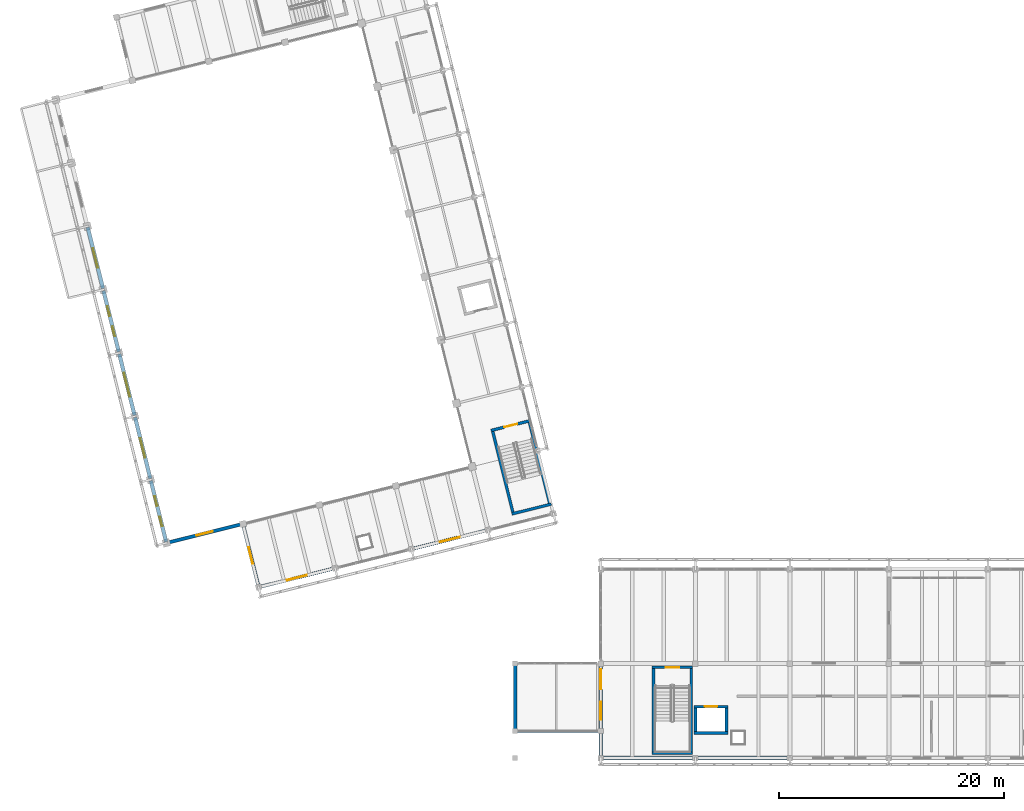
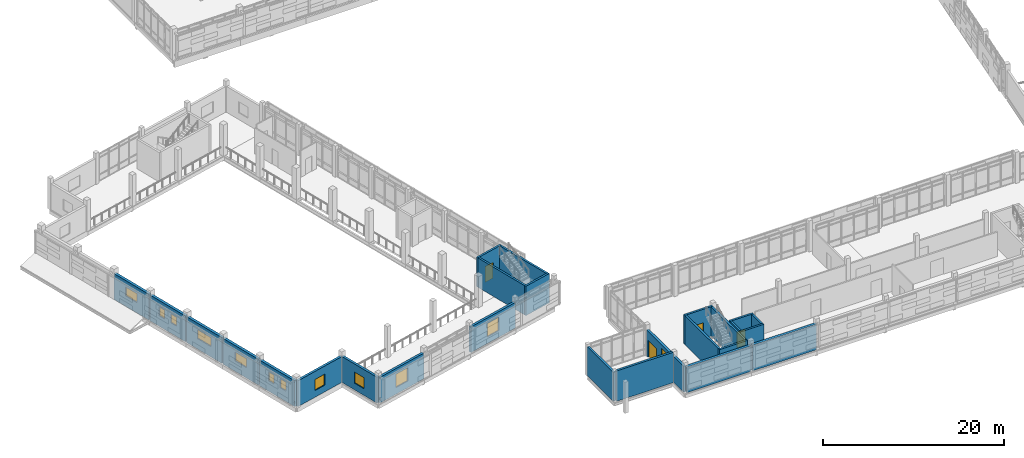
# One storey, part 105 of 137: 26 walls, 12 windows, 4 doors, 16 openings.
"""IFC4 building model written with IfcOpenShell, lengths in metres."""

import ifcopenshell
import ifcopenshell.guid

model = None  # the IFC model being written
_history = None  # IfcOwnerHistory: only IFC2X3 demands one
_inside = {}  # id of a spatial element -> (the spatial element, [elements in it])
_under = {}  # id of a project, library or spatial element -> (it, [spatial elements below it])
_declared = {}  # id of a project -> (the project, [libraries it declares])
_typed = {}  # id of a type object -> (the type object, [elements of that type])
_made_of = {}  # id of a material, layer set ... -> (it, [elements and type objects made of it])


def new_model(schema):
    """Start an empty IFC model of exactly this schema.

    Asked for "IFC4X3", IfcOpenShell would pick the latest addendum, in which some entities
    have other attributes; the version numbers below select the first issue.
    IFC2X3 requires an IfcOwnerHistory on every rooted entity: one is made here for all.
    """
    global model, _history
    if schema == "IFC4X3":
        model = ifcopenshell.file(schema_version=(4, 3, 0, 0))
    else:
        model = ifcopenshell.file(schema=schema)
    _inside.clear()
    _under.clear()
    _declared.clear()
    _typed.clear()
    _made_of.clear()
    _history = None
    if model.schema == "IFC2X3":
        org = make("IfcOrganization", Name="unknown")
        user = make(
            "IfcPersonAndOrganization",
            ThePerson=make("IfcPerson", FamilyName="unknown"),
            TheOrganization=org,
        )
        app = make(
            "IfcApplication",
            ApplicationDeveloper=org,
            Version="unknown",
            ApplicationFullName="unknown",
            ApplicationIdentifier="unknown",
        )
        _history = make(
            "IfcOwnerHistory",
            OwningUser=user,
            OwningApplication=app,
            ChangeAction="ADDED",
            CreationDate=0,
        )
    return model


def make(cls, **values):
    """One entity of the class cls with the attributes given. An attribute that is None is left unset."""
    return model.create_entity(
        cls, **{name: value for name, value in values.items() if value is not None}
    )


def rooted(cls, **values):
    """An entity with a GlobalId (a new one), such as an element, a storey or a relation."""
    return make(cls, GlobalId=ifcopenshell.guid.new(), OwnerHistory=_history, **values)


def si_unit(unit_type, name, prefix=None):
    """IfcSIUnit, for example si_unit("LENGTHUNIT", "METRE", prefix="MILLI")."""
    return make("IfcSIUnit", UnitType=unit_type, Prefix=prefix, Name=name)


def assignment(units):
    """IfcUnitAssignment: the units of a project."""
    return None if units is None else make("IfcUnitAssignment", Units=units)


def point(xyz):
    """IfcCartesianPoint."""
    return None if xyz is None else make("IfcCartesianPoint", Coordinates=xyz)


def direction(xyz):
    """IfcDirection."""
    return None if xyz is None else make("IfcDirection", DirectionRatios=xyz)


def frame(location, z_axis=None, x_axis=None):
    """IfcAxis2Placement3D, a coordinate frame: its origin and axes. An axis left out is left unset."""
    return make(
        "IfcAxis2Placement3D",
        Location=point(location),
        Axis=direction(z_axis),
        RefDirection=direction(x_axis),
    )


def frame_2d(location, x_axis=None):
    """IfcAxis2Placement2D, a coordinate frame in the plane: its origin and x axis."""
    return make(
        "IfcAxis2Placement2D", Location=point(location), RefDirection=direction(x_axis)
    )


def origin():
    """The frame at (0, 0, 0) with its axes left unset."""
    return frame((0.0, 0.0, 0.0))


def place(relative_to, where):
    """IfcLocalPlacement: puts the frame where relative to a parent placement (None: the world)."""
    return make(
        "IfcLocalPlacement", PlacementRelTo=relative_to, RelativePlacement=where
    )


def context(
    kind, dimensions, precision=None, world=None, true_north=None, identifier=None
):
    """IfcGeometricRepresentationContext, for example the 3D "Model" context."""
    return make(
        "IfcGeometricRepresentationContext",
        ContextIdentifier=identifier,
        ContextType=kind,
        CoordinateSpaceDimension=dimensions,
        Precision=precision,
        WorldCoordinateSystem=world,
        TrueNorth=true_north,
    )


def subcontext(parent, identifier, kind, view, scale=None):
    """IfcGeometricRepresentationSubContext, for example "Body" below "Model"."""
    return make(
        "IfcGeometricRepresentationSubContext",
        ContextIdentifier=identifier,
        ContextType=kind,
        ParentContext=parent,
        TargetScale=scale,
        TargetView=view,
    )


def project(units=None, contexts=None):
    """IfcProject with its units and contexts."""
    return rooted(
        "IfcProject",
        Name="project",
        RepresentationContexts=contexts,
        UnitsInContext=assignment(units),
    )


def spatial(cls, under=None, at=None, **own):
    """A site, building, storey or space (cls), placed at a placement, below another one or the project."""
    s = rooted(cls, ObjectPlacement=at, **own)
    if under is not None:
        _under.setdefault(under.id(), (under, []))[1].append(s)
    return s


def profile(cls, at=None, kind="AREA", **sizes):
    """A parametric profile (cls). Its sizes go by their IFC names, for example OverallWidth=200.0."""
    return make(cls, ProfileType=kind, Position=at, **sizes)


def rectangle(**sizes):
    """IfcRectangleProfileDef."""
    return profile("IfcRectangleProfileDef", **sizes)


def extrude(swept, where, along, depth):
    """IfcExtrudedAreaSolid: the profile swept, set in the frame where, extruded along a direction by depth."""
    return make(
        "IfcExtrudedAreaSolid",
        SweptArea=swept,
        Position=where,
        ExtrudedDirection=direction(along),
        Depth=depth,
    )


def shape(context_of_items, identifier, shape_type, items):
    """IfcShapeRepresentation: the items that make up one representation, for example the "Body"."""
    return make(
        "IfcShapeRepresentation",
        ContextOfItems=context_of_items,
        RepresentationIdentifier=identifier,
        RepresentationType=shape_type,
        Items=items,
    )


def material(Name=None, Category=None):
    """IfcMaterial."""
    return make("IfcMaterial", Name=Name, Category=Category)


def layer(
    of_material, thickness, ventilated=None, Name=None, Category=None, Priority=None
):
    """IfcMaterialLayer: one layer of a wall or slab, of a material (None: an air gap)."""
    return make(
        "IfcMaterialLayer",
        Material=of_material,
        LayerThickness=thickness,
        IsVentilated=ventilated,
        Name=Name,
        Category=Category,
        Priority=Priority,
    )


def layer_set(layers, Name=None):
    """IfcMaterialLayerSet."""
    return make("IfcMaterialLayerSet", MaterialLayers=layers, LayerSetName=Name)


def made_of(thing, what):
    """Note that an element or type object is made of a material, layer set ...; save() writes the relation."""
    if what is not None:
        _made_of.setdefault(what.id(), (what, []))[1].append(thing)
    return thing


def type_object(cls, material=None, **own):
    """A type object (cls), such as IfcWallType, which elements share."""
    return made_of(rooted(cls, **own), material)


def element(
    cls,
    number,
    at=None,
    inside=None,
    cuts=None,
    type_object=None,
    material=None,
    context=None,
    identifier="Body",
    shape_type=None,
    held_by="IfcProductDefinitionShape",
    body=None,
    shapes=None,
    **own,
):
    """One element of the class cls, such as IfcWall. Its Tag is "e" and its number.

    at: its placement. inside: the storey or other place that contains it. cuts: it is an
    opening in that element (IfcRelVoidsElement). A single representation is given by context,
    identifier, shape_type and body (its items); several are given by shapes. held_by: the class
    of the entity that holds the representations. save() writes the other relations.
    """
    e = rooted(cls, Tag="e%d" % number, ObjectPlacement=at, **own)
    if body is not None:
        shapes = [shape(context, identifier, shape_type, body)]
    if shapes is not None:
        e.Representation = make(held_by, Representations=shapes)
    if inside is not None:
        _inside.setdefault(inside.id(), (inside, []))[1].append(e)
    if cuts is not None:
        rooted(
            "IfcRelVoidsElement", RelatingBuildingElement=cuts, RelatedOpeningElement=e
        )
    if type_object is not None:
        _typed.setdefault(type_object.id(), (type_object, []))[1].append(e)
    return made_of(e, material)


def fill(opening, filler):
    """IfcRelFillsElement: the door or window that sits in an opening."""
    return rooted(
        "IfcRelFillsElement",
        RelatingOpeningElement=opening,
        RelatedBuildingElement=filler,
    )


def aggregate(whole, parts):
    """IfcRelAggregates: a whole, such as a stair, and the parts it consists of."""
    return rooted("IfcRelAggregates", RelatingObject=whole, RelatedObjects=parts)


def save(model, path):
    """Write the relations noted so far, then the file.

    IfcRelAggregates (storeys below a building ...), IfcRelContainedInSpatialStructure (elements
    in a storey), IfcRelDefinesByType, IfcRelAssociatesMaterial and IfcRelDeclares: one each for
    every whole, place, type object, material and project.
    """
    for whole, parts in _under.values():
        aggregate(whole, parts)
    for where, things in _inside.values():
        rooted(
            "IfcRelContainedInSpatialStructure",
            RelatedElements=things,
            RelatingStructure=where,
        )
    for kind, things in _typed.values():
        rooted("IfcRelDefinesByType", RelatedObjects=things, RelatingType=kind)
    for what, things in _made_of.values():
        rooted("IfcRelAssociatesMaterial", RelatedObjects=things, RelatingMaterial=what)
    for by, libraries in _declared.values():
        rooted("IfcRelDeclares", RelatingContext=by, RelatedDefinitions=libraries)
    model.write(path)


model = new_model("IFC4")

# Units and contexts
model_context = context("Model", 3, precision=1e-05, world=origin(), true_north=direction((0.0, 1.0)))
body_context = subcontext(model_context, "Body", "Model", "MODEL_VIEW")
ifc_project = project(units=[si_unit("LENGTHUNIT", "METRE"), si_unit("AREAUNIT", "SQUARE_METRE"), si_unit("VOLUMEUNIT", "CUBIC_METRE"), si_unit("PLANEANGLEUNIT", "RADIAN"), si_unit("MASSUNIT", "GRAM", prefix="KILO")], contexts=[model_context])

# Site, building, storey
site_placement = place(None, origin())
site = spatial("IfcSite", under=ifc_project, at=site_placement, CompositionType="ELEMENT")
building_placement = place(site_placement, origin())
building = spatial("IfcBuilding", under=site, at=building_placement, Name="Cinderway Yard Community Centre", CompositionType="ELEMENT")
storey_placement = place(building_placement, frame((0.0, 0.0, 4.800048828125)))
storey = spatial("IfcBuildingStorey", under=building, at=storey_placement, Name="L01", CompositionType="ELEMENT", Elevation=4.800048828125)

# Walls
ifc_material_1 = material(Name="Concrete C35/45", Category="concrete")
ifc_layer_1 = layer(ifc_material_1, 0.280029296875, Name="Concrete C35/45")
ifc_layer_set_1 = layer_set([ifc_layer_1], Name="Concrete C35/45")
wall_type_1 = type_object("IfcWallType", Name="ENV-WAL-EXT280", PredefinedType="SOLIDWALL", material=ifc_layer_set_1)
wall_1_placement = place(storey_placement, frame((50.949951171875, 8.39990234375, 0.0), z_axis=(0.0, 0.0, 1.0), x_axis=(1.0, 0.0, 0.0)))
element("IfcWall", 1, at=wall_1_placement, inside=storey, type_object=wall_type_1, Name="West Arcade Inner Portal Wall ENV-WAL-L01-0236", PredefinedType="SOLIDWALL", context=body_context, shape_type="SweptSolid", body=[
    extrude(rectangle(XDim=7.300048828125, YDim=0.280029296875, at=frame_2d((3.64990234375, 0.0))), origin(), (0.0, 0.0, 1.0), 4.099853515625),
])
wall_2_placement = place(storey_placement, frame((50.800048828125, 8.449951171875, 0.0), z_axis=(0.0, 0.0, 1.0), x_axis=(0.0, 1.0, 0.0)))
element("IfcWall", 2, at=wall_2_placement, inside=storey, type_object=wall_type_1, Name="West Arcade Side Wall W ENV-WAL-L01-0237", PredefinedType="SOLIDWALL", context=body_context, shape_type="SweptSolid", body=[
    extrude(rectangle(XDim=5.800048828125, YDim=0.280029296875, at=frame_2d((2.89990234375, 0.0))), origin(), (0.0, 0.0, 1.0), 3.8720703125),
])

# Wall, opening, window
ifc_material_2 = material(Name="Brick Masonry", Category="masonry")
ifc_layer_2 = layer(ifc_material_2, 0.300048828125, Name="Brick Masonry")
ifc_layer_set_2 = layer_set([ifc_layer_2], Name="Brick Masonry")
wall_type_2 = type_object("IfcWallType", Name="ENV-WAL-EXT300", PredefinedType="SOLIDWALL", material=ifc_layer_set_2)
wall_3_placement = place(storey_placement, frame((28.10205078125, 21.20703125, 0.0), z_axis=(0.0, 0.0, 1.0), x_axis=(0.970296478685, 0.241918877831, 0.0)))
wall_3 = element("IfcWall", 3, at=wall_3_placement, inside=storey, type_object=wall_type_2, Name="Sanctuary South Brick Wall ENV-WAL-L01-0026", PredefinedType="SOLIDWALL", context=body_context, shape_type="SweptSolid", body=[
    extrude(rectangle(XDim=6.7998046875, YDim=0.300048828125, at=frame_2d((3.39990234375, 0.0))), origin(), (0.0, 0.0, 1.0), 3.46484375),
])
opening_1_placement = place(wall_3_placement, frame((2.5, 0.0, 0.89990234375)))
opening_1 = element("IfcOpeningElement", 4, at=opening_1_placement, cuts=wall_3, Name="Opening W-08", PredefinedType="OPENING", context=body_context, shape_type="SweptSolid", body=[
    extrude(rectangle(XDim=1.800048828125, YDim=1.800048828125, at=frame_2d((0.89990234375, 0.89990234375))), frame((0.0, 0.159912109375, 0.0), z_axis=(0.0, -1.0, 0.0), x_axis=(1.0, 0.0, 0.0)), (0.0, 0.0, 1.0), 0.320068359375),
])
ifc_material_3 = material(Name="Laminated Low-E Glass", Category="glass")
window_type_1 = type_object("IfcWindowType", Name="ENV-WIN-W08", PartitioningType="DOUBLE_PANEL_VERTICAL", PredefinedType="WINDOW", material=ifc_material_3)
window_1_placement = place(opening_1_placement, origin())
window_1 = element("IfcWindow", 5, at=window_1_placement, inside=storey, type_object=window_type_1, Name="Exterior window ENV-WIN-L01-0011", OverallHeight=1.800048828125, OverallWidth=1.800048828125, PartitioningType="SINGLE_PANEL", PredefinedType="WINDOW", context=body_context, shape_type="SweptSolid", body=[
    extrude(rectangle(XDim=1.800048828125, YDim=1.800048828125, at=frame_2d((0.89990234375, 0.89990234375))), frame((0.0, 0.030029296875, 0.0), z_axis=(0.0, -1.0, 0.0), x_axis=(1.0, 0.0, 0.0)), (0.0, 0.0, 1.0), 0.06005859375),
])
fill(opening_1, window_1)

wall_4_placement = place(storey_placement, frame((41.68603515625, 24.593994140625, 0.0), z_axis=(0.0, 0.0, 1.0), x_axis=(0.970296478685, 0.241918877831, 0.0)))
wall_4 = element("IfcWall", 6, at=wall_4_placement, inside=storey, type_object=wall_type_2, Name="Sanctuary South Brick Wall ENV-WAL-L01-0027", PredefinedType="SOLIDWALL", context=body_context, shape_type="SweptSolid", body=[
    extrude(rectangle(XDim=6.7998046875, YDim=0.300048828125, at=frame_2d((3.39990234375, 0.0))), origin(), (0.0, 0.0, 1.0), 3.46484375),
])
opening_2_placement = place(wall_4_placement, frame((2.5, 0.0, 0.89990234375)))
opening_2 = element("IfcOpeningElement", 7, at=opening_2_placement, cuts=wall_4, Name="Opening W-08", PredefinedType="OPENING", context=body_context, shape_type="SweptSolid", body=[
    extrude(rectangle(XDim=1.800048828125, YDim=1.800048828125, at=frame_2d((0.89990234375, 0.89990234375))), frame((0.0, 0.159912109375, 0.0), z_axis=(0.0, -1.0, 0.0), x_axis=(1.0, 0.0, 0.0)), (0.0, 0.0, 1.0), 0.320068359375),
])
window_2_placement = place(opening_2_placement, origin())
window_2 = element("IfcWindow", 8, at=window_2_placement, inside=storey, type_object=window_type_1, Name="Exterior window ENV-WIN-L01-0012", OverallHeight=1.800048828125, OverallWidth=1.800048828125, PartitioningType="SINGLE_PANEL", PredefinedType="WINDOW", context=body_context, shape_type="SweptSolid", body=[
    extrude(rectangle(XDim=1.800048828125, YDim=1.800048828125, at=frame_2d((0.89990234375, 0.89990234375))), frame((0.0, 0.030029296875, 0.0), z_axis=(0.0, -1.0, 0.0), x_axis=(1.0, 0.0, 0.0)), (0.0, 0.0, 1.0), 0.06005859375),
])
fill(opening_2, window_2)

wall_5_placement = place(storey_placement, frame((27.986083984375, 21.260986328125, 0.0), z_axis=(0.0, 0.0, 1.0), x_axis=(-0.242077152267, 0.970257003247, 0.0)))
wall_5 = element("IfcWall", 9, at=wall_5_placement, inside=storey, type_object=wall_type_2, Name="Sanctuary West Return ENV-WAL-L01-0028", PredefinedType="SOLIDWALL", context=body_context, shape_type="SweptSolid", body=[
    extrude(rectangle(XDim=5.638671875, YDim=0.300048828125, at=frame_2d((2.8193359375, 0.0))), origin(), (0.0, 0.0, 1.0), 3.494873046875),
])
opening_3_placement = place(wall_5_placement, frame((2.070068359375, 0.0, 0.89990234375)))
opening_3 = element("IfcOpeningElement", 10, at=opening_3_placement, cuts=wall_5, Name="Opening W-02", PredefinedType="OPENING", context=body_context, shape_type="SweptSolid", body=[
    extrude(rectangle(XDim=1.5, YDim=1.5, at=frame_2d((0.75, 0.75))), frame((0.0, 0.159912109375, 0.0), z_axis=(0.0, -1.0, 0.0), x_axis=(1.0, 0.0, 0.0)), (0.0, 0.0, 1.0), 0.320068359375),
])
window_type_2 = type_object("IfcWindowType", Name="ENV-WIN-W02", PartitioningType="DOUBLE_PANEL_VERTICAL", PredefinedType="WINDOW", material=ifc_material_3)
window_3_placement = place(opening_3_placement, origin())
window_3 = element("IfcWindow", 11, at=window_3_placement, inside=storey, type_object=window_type_2, Name="Exterior window ENV-WIN-L01-0013", OverallHeight=1.5, OverallWidth=1.5, PartitioningType="SINGLE_PANEL", PredefinedType="WINDOW", context=body_context, shape_type="SweptSolid", body=[
    extrude(rectangle(XDim=1.5, YDim=1.5, at=frame_2d((0.75, 0.75))), frame((0.0, 0.030029296875, 0.0), z_axis=(0.0, -1.0, 0.0), x_axis=(1.0, 0.0, 0.0)), (0.0, 0.0, 1.0), 0.06005859375),
])
fill(opening_3, window_3)

wall_6_placement = place(storey_placement, frame((19.886962890625, 25.135986328125, 0.0), z_axis=(0.0, 0.0, 1.0), x_axis=(0.970287194641, 0.241956111549, 0.0)))
wall_6 = element("IfcWall", 12, at=wall_6_placement, inside=storey, type_object=wall_type_2, Name="Main Hall SW Return ENV-WAL-L01-0029", PredefinedType="SOLIDWALL", context=body_context, shape_type="SweptSolid", body=[
    extrude(rectangle(XDim=6.840087890625, YDim=0.300048828125, at=frame_2d((3.419921875, 0.0))), origin(), (0.0, 0.0, 1.0), 3.48486328125),
])
opening_4_placement = place(wall_6_placement, frame((2.669921875, 0.0, 0.89990234375)))
opening_4 = element("IfcOpeningElement", 13, at=opening_4_placement, cuts=wall_6, Name="Opening W-02", PredefinedType="OPENING", context=body_context, shape_type="SweptSolid", body=[
    extrude(rectangle(XDim=1.5, YDim=1.5, at=frame_2d((0.75, 0.75))), frame((0.0, 0.159912109375, 0.0), z_axis=(0.0, -1.0, 0.0), x_axis=(1.0, 0.0, 0.0)), (0.0, 0.0, 1.0), 0.320068359375),
])
window_4_placement = place(opening_4_placement, origin())
window_4 = element("IfcWindow", 14, at=window_4_placement, inside=storey, type_object=window_type_2, Name="Exterior window ENV-WIN-L01-0014", OverallHeight=1.5, OverallWidth=1.5, PartitioningType="SINGLE_PANEL", PredefinedType="WINDOW", context=body_context, shape_type="SweptSolid", body=[
    extrude(rectangle(XDim=1.5, YDim=1.5, at=frame_2d((0.75, 0.75))), frame((0.0, 0.030029296875, 0.0), z_axis=(0.0, -1.0, 0.0), x_axis=(1.0, 0.0, 0.0)), (0.0, 0.0, 1.0), 0.06005859375),
])
fill(opening_4, window_4)

# Wall, openings, window, door
wall_7_placement = place(storey_placement, frame((58.39990234375, 6.10009765625, 0.0), z_axis=(0.0, 0.0, 1.0), x_axis=(0.0, 1.0, 0.0)))
wall_7 = element("IfcWall", 15, at=wall_7_placement, inside=storey, type_object=wall_type_2, Name="V3 West End Wall ENV-WAL-L01-0114", PredefinedType="SOLIDWALL", context=body_context, shape_type="SweptSolid", body=[
    extrude(rectangle(XDim=8.199951171875, YDim=0.300048828125, at=frame_2d((4.10009765625, 0.0))), origin(), (0.0, 0.0, 1.0), 3.494873046875),
])
opening_5_placement = place(wall_7_placement, frame((3.300048828125, 0.0, 0.89990234375)))
opening_5 = element("IfcOpeningElement", 16, at=opening_5_placement, cuts=wall_7, Name="Opening W-14", PredefinedType="OPENING", context=body_context, shape_type="SweptSolid", body=[
    extrude(rectangle(XDim=1.60009765625, YDim=2.10009765625, at=frame_2d((0.800048828125, 1.050048828125))), frame((0.0, 0.159912109375, 0.0), z_axis=(0.0, -1.0, 0.0), x_axis=(1.0, 0.0, 0.0)), (0.0, 0.0, 1.0), 0.320068359375),
])
opening_6_placement = place(wall_7_placement, frame((6.0, 0.0, 0.0)))
opening_6 = element("IfcOpeningElement", 17, at=opening_6_placement, cuts=wall_7, Name="Opening D-EX3", PredefinedType="OPENING", context=body_context, shape_type="SweptSolid", body=[
    extrude(rectangle(XDim=1.800048828125, YDim=2.25, at=frame_2d((0.89990234375, 1.125))), frame((0.0, 0.159912109375, 0.0), z_axis=(0.0, -1.0, 0.0), x_axis=(1.0, 0.0, 0.0)), (0.0, 0.0, 1.0), 0.320068359375),
])
window_type_3 = type_object("IfcWindowType", Name="ENV-WIN-W14", PartitioningType="DOUBLE_PANEL_VERTICAL", PredefinedType="WINDOW", material=ifc_material_3)
window_5_placement = place(opening_5_placement, origin())
window_5 = element("IfcWindow", 18, at=window_5_placement, inside=storey, type_object=window_type_3, Name="Exterior window ENV-WIN-L01-0078", OverallHeight=2.10009765625, OverallWidth=1.60009765625, PartitioningType="SINGLE_PANEL", PredefinedType="WINDOW", context=body_context, shape_type="SweptSolid", body=[
    extrude(rectangle(XDim=1.60009765625, YDim=2.10009765625, at=frame_2d((0.800048828125, 1.050048828125))), frame((0.0, 0.030029296875, 0.0), z_axis=(0.0, -1.0, 0.0), x_axis=(1.0, 0.0, 0.0)), (0.0, 0.0, 1.0), 0.06005859375),
])
fill(opening_5, window_5)
ifc_material_4 = material(Name="Aluminium 6063-T6", Category="aluminium")
door_type_1 = type_object("IfcDoorType", Name="INT-DOR-EXT180", OperationType="DOUBLE_DOOR_SINGLE_SWING", PredefinedType="DOOR", material=ifc_material_4)
door_1_placement = place(opening_6_placement, origin())
door_1 = element("IfcDoor", 19, at=door_1_placement, inside=storey, type_object=door_type_1, Name="West Arcade L01 Link Door EXT-DOR-L01-0085", OperationType="DOUBLE_DOOR_SINGLE_SWING", OverallHeight=2.25, OverallWidth=1.800048828125, PredefinedType="DOOR", context=body_context, shape_type="SweptSolid", body=[
    extrude(rectangle(XDim=1.800048828125, YDim=2.25, at=frame_2d((0.89990234375, 1.125))), frame((0.0, 0.02490234375, 0.0), z_axis=(0.0, -1.0, 0.0), x_axis=(1.0, 0.0, 0.0)), (0.0, 0.0, 1.0), 0.050048828125),
])
fill(opening_6, door_1)

# Wall, openings, windows
ifc_layer_3 = layer(ifc_material_2, 0.340087890625, Name="Brick Masonry")
ifc_layer_set_3 = layer_set([ifc_layer_3], Name="Brick Masonry")
wall_type_3 = type_object("IfcWallType", Name="ENV-WAL-EXT340", PredefinedType="SOLIDWALL", material=ifc_layer_set_3)
wall_8_placement = place(storey_placement, frame((19.784912109375, 25.214111328125, 0.0), z_axis=(0.0, 0.0, 1.0), x_axis=(-0.241950898373, 0.970288494612, 0.0)))
wall_8 = element("IfcWall", 20, at=wall_8_placement, inside=storey, type_object=wall_type_3, Name="Main Hall West Brick Wall ENV-WAL-L01-0019", PredefinedType="SOLIDWALL", context=body_context, shape_type="SweptSolid", body=[
    extrude(rectangle(XDim=5.600341796875, YDim=0.340087890625, at=frame_2d((2.80029296875, 0.0))), origin(), (0.0, 0.0, 1.0), 3.48486328125),
])
opening_7_placement = place(wall_8_placement, frame((1.4169921875, 0.0, 1.39990234375)))
opening_7 = element("IfcOpeningElement", 21, at=opening_7_placement, cuts=wall_8, Name="Opening W-19", PredefinedType="OPENING", context=body_context, shape_type="SweptSolid", body=[
    extrude(rectangle(XDim=0.89990234375, YDim=1.199951171875, at=frame_2d((0.449951171875, 0.60009765625))), frame((0.0, 0.179931640625, 0.0), z_axis=(0.0, -1.0, 0.0), x_axis=(1.0, 0.0, 0.0)), (0.0, 0.0, 1.0), 0.360107421875),
])
opening_8_placement = place(wall_8_placement, frame((3.283935546875, 0.0, 1.39990234375)))
opening_8 = element("IfcOpeningElement", 22, at=opening_8_placement, cuts=wall_8, Name="Opening W-19", PredefinedType="OPENING", context=body_context, shape_type="SweptSolid", body=[
    extrude(rectangle(XDim=0.89990234375, YDim=1.199951171875, at=frame_2d((0.449951171875, 0.60009765625))), frame((0.0, 0.179931640625, 0.0), z_axis=(0.0, -1.0, 0.0), x_axis=(1.0, 0.0, 0.0)), (0.0, 0.0, 1.0), 0.360107421875),
])
window_type_4 = type_object("IfcWindowType", Name="ENV-WIN-W19", PartitioningType="SINGLE_PANEL", PredefinedType="WINDOW", material=ifc_material_3)
window_6_placement = place(opening_7_placement, origin())
window_6 = element("IfcWindow", 23, at=window_6_placement, inside=storey, type_object=window_type_4, Name="Exterior window ENV-WIN-L01-0001", OverallHeight=1.199951171875, OverallWidth=0.89990234375, PartitioningType="SINGLE_PANEL", PredefinedType="WINDOW", context=body_context, shape_type="SweptSolid", body=[
    extrude(rectangle(XDim=0.89990234375, YDim=1.199951171875, at=frame_2d((0.449951171875, 0.60009765625))), frame((0.0, 0.030029296875, 0.0), z_axis=(0.0, -1.0, 0.0), x_axis=(1.0, 0.0, 0.0)), (0.0, 0.0, 1.0), 0.06005859375),
])
fill(opening_7, window_6)
window_7_placement = place(opening_8_placement, origin())
window_7 = element("IfcWindow", 24, at=window_7_placement, inside=storey, type_object=window_type_4, Name="Exterior window ENV-WIN-L01-0002", OverallHeight=1.199951171875, OverallWidth=0.89990234375, PartitioningType="SINGLE_PANEL", PredefinedType="WINDOW", context=body_context, shape_type="SweptSolid", body=[
    extrude(rectangle(XDim=0.89990234375, YDim=1.199951171875, at=frame_2d((0.449951171875, 0.60009765625))), frame((0.0, 0.030029296875, 0.0), z_axis=(0.0, -1.0, 0.0), x_axis=(1.0, 0.0, 0.0)), (0.0, 0.0, 1.0), 0.06005859375),
])
fill(opening_8, window_7)

# Wall, opening, window
wall_9_placement = place(storey_placement, frame((18.382080078125, 30.842041015625, 0.0), z_axis=(0.0, 0.0, 1.0), x_axis=(-0.241991842685, 0.970278283831, 0.0)))
wall_9 = element("IfcWall", 25, at=wall_9_placement, inside=storey, type_object=wall_type_3, Name="Main Hall West Brick Wall ENV-WAL-L01-0020", PredefinedType="SOLIDWALL", context=body_context, shape_type="SweptSolid", body=[
    extrude(rectangle(XDim=5.599365234375, YDim=0.340087890625, at=frame_2d((2.7998046875, 0.0))), origin(), (0.0, 0.0, 1.0), 3.48486328125),
])
opening_9_placement = place(wall_9_placement, frame((1.89990234375, 0.0, 1.39990234375)))
opening_9 = element("IfcOpeningElement", 26, at=opening_9_placement, cuts=wall_9, Name="Opening W-21", PredefinedType="OPENING", context=body_context, shape_type="SweptSolid", body=[
    extrude(rectangle(XDim=1.800048828125, YDim=1.199951171875, at=frame_2d((0.89990234375, 0.60009765625))), frame((0.0, 0.179931640625, 0.0), z_axis=(0.0, -1.0, 0.0), x_axis=(1.0, 0.0, 0.0)), (0.0, 0.0, 1.0), 0.360107421875),
])
window_type_5 = type_object("IfcWindowType", Name="ENV-WIN-W21", PartitioningType="DOUBLE_PANEL_VERTICAL", PredefinedType="WINDOW", material=ifc_material_3)
window_8_placement = place(opening_9_placement, origin())
window_8 = element("IfcWindow", 27, at=window_8_placement, inside=storey, type_object=window_type_5, Name="Exterior window ENV-WIN-L01-0003", OverallHeight=1.199951171875, OverallWidth=1.800048828125, PartitioningType="SINGLE_PANEL", PredefinedType="WINDOW", context=body_context, shape_type="SweptSolid", body=[
    extrude(rectangle(XDim=1.800048828125, YDim=1.199951171875, at=frame_2d((0.89990234375, 0.60009765625))), frame((0.0, 0.030029296875, 0.0), z_axis=(0.0, -1.0, 0.0), x_axis=(1.0, 0.0, 0.0)), (0.0, 0.0, 1.0), 0.06005859375),
])
fill(opening_9, window_8)

wall_10_placement = place(storey_placement, frame((16.97900390625, 36.468994140625, 0.0), z_axis=(0.0, 0.0, 1.0), x_axis=(-0.241940664393, 0.970291046497, 0.0)))
wall_10 = element("IfcWall", 28, at=wall_10_placement, inside=storey, type_object=wall_type_3, Name="Main Hall West Brick Wall ENV-WAL-L01-0021", PredefinedType="SOLIDWALL", context=body_context, shape_type="SweptSolid", body=[
    extrude(rectangle(XDim=5.6005859375, YDim=0.340087890625, at=frame_2d((2.80029296875, 0.0))), origin(), (0.0, 0.0, 1.0), 3.48486328125),
])
opening_10_placement = place(wall_10_placement, frame((1.699951171875, 0.0, 1.39990234375)))
opening_10 = element("IfcOpeningElement", 29, at=opening_10_placement, cuts=wall_10, Name="Opening W-22", PredefinedType="OPENING", context=body_context, shape_type="SweptSolid", body=[
    extrude(rectangle(XDim=2.199951171875, YDim=1.199951171875, at=frame_2d((1.10009765625, 0.60009765625))), frame((0.0, 0.179931640625, 0.0), z_axis=(0.0, -1.0, 0.0), x_axis=(1.0, 0.0, 0.0)), (0.0, 0.0, 1.0), 0.360107421875),
])
window_type_6 = type_object("IfcWindowType", Name="ENV-WIN-W22", PartitioningType="DOUBLE_PANEL_VERTICAL", PredefinedType="WINDOW", material=ifc_material_3)
window_9_placement = place(opening_10_placement, origin())
window_9 = element("IfcWindow", 30, at=window_9_placement, inside=storey, type_object=window_type_6, Name="Exterior window ENV-WIN-L01-0004", OverallHeight=1.199951171875, OverallWidth=2.199951171875, PartitioningType="SINGLE_PANEL", PredefinedType="WINDOW", context=body_context, shape_type="SweptSolid", body=[
    extrude(rectangle(XDim=2.199951171875, YDim=1.199951171875, at=frame_2d((1.10009765625, 0.60009765625))), frame((0.0, 0.030029296875, 0.0), z_axis=(0.0, -1.0, 0.0), x_axis=(1.0, 0.0, 0.0)), (0.0, 0.0, 1.0), 0.06005859375),
])
fill(opening_10, window_9)

# Wall, openings, windows
wall_11_placement = place(storey_placement, frame((15.575927734375, 42.096923828125, 0.0), z_axis=(0.0, 0.0, 1.0), x_axis=(-0.241940664393, 0.970291046497, 0.0)))
wall_11 = element("IfcWall", 31, at=wall_11_placement, inside=storey, type_object=wall_type_3, Name="Main Hall West Brick Wall ENV-WAL-L01-0022", PredefinedType="SOLIDWALL", context=body_context, shape_type="SweptSolid", body=[
    extrude(rectangle(XDim=5.6005859375, YDim=0.340087890625, at=frame_2d((2.80029296875, 0.0))), origin(), (0.0, 0.0, 1.0), 3.48486328125),
])
opening_11_placement = place(wall_11_placement, frame((1.4169921875, 0.0, 1.39990234375)))
opening_11 = element("IfcOpeningElement", 32, at=opening_11_placement, cuts=wall_11, Name="Opening W-19", PredefinedType="OPENING", context=body_context, shape_type="SweptSolid", body=[
    extrude(rectangle(XDim=0.89990234375, YDim=1.199951171875, at=frame_2d((0.449951171875, 0.60009765625))), frame((0.0, 0.179931640625, 0.0), z_axis=(0.0, -1.0, 0.0), x_axis=(1.0, 0.0, 0.0)), (0.0, 0.0, 1.0), 0.360107421875),
])
opening_12_placement = place(wall_11_placement, frame((3.283935546875, 0.0, 1.39990234375)))
opening_12 = element("IfcOpeningElement", 33, at=opening_12_placement, cuts=wall_11, Name="Opening W-19", PredefinedType="OPENING", context=body_context, shape_type="SweptSolid", body=[
    extrude(rectangle(XDim=0.89990234375, YDim=1.199951171875, at=frame_2d((0.449951171875, 0.60009765625))), frame((0.0, 0.179931640625, 0.0), z_axis=(0.0, -1.0, 0.0), x_axis=(1.0, 0.0, 0.0)), (0.0, 0.0, 1.0), 0.360107421875),
])
window_10_placement = place(opening_11_placement, origin())
window_10 = element("IfcWindow", 34, at=window_10_placement, inside=storey, type_object=window_type_4, Name="Exterior window ENV-WIN-L01-0005", OverallHeight=1.199951171875, OverallWidth=0.89990234375, PartitioningType="SINGLE_PANEL", PredefinedType="WINDOW", context=body_context, shape_type="SweptSolid", body=[
    extrude(rectangle(XDim=0.89990234375, YDim=1.199951171875, at=frame_2d((0.449951171875, 0.60009765625))), frame((0.0, 0.030029296875, 0.0), z_axis=(0.0, -1.0, 0.0), x_axis=(1.0, 0.0, 0.0)), (0.0, 0.0, 1.0), 0.06005859375),
])
fill(opening_11, window_10)
window_11_placement = place(opening_12_placement, origin())
window_11 = element("IfcWindow", 35, at=window_11_placement, inside=storey, type_object=window_type_4, Name="Exterior window ENV-WIN-L01-0006", OverallHeight=1.199951171875, OverallWidth=0.89990234375, PartitioningType="SINGLE_PANEL", PredefinedType="WINDOW", context=body_context, shape_type="SweptSolid", body=[
    extrude(rectangle(XDim=0.89990234375, YDim=1.199951171875, at=frame_2d((0.449951171875, 0.60009765625))), frame((0.0, 0.030029296875, 0.0), z_axis=(0.0, -1.0, 0.0), x_axis=(1.0, 0.0, 0.0)), (0.0, 0.0, 1.0), 0.06005859375),
])
fill(opening_12, window_11)

# Wall, opening, window
wall_12_placement = place(storey_placement, frame((14.173095703125, 47.72509765625, 0.0), z_axis=(0.0, 0.0, 1.0), x_axis=(-0.241991842685, 0.970278283831, 0.0)))
wall_12 = element("IfcWall", 36, at=wall_12_placement, inside=storey, type_object=wall_type_3, Name="Main Hall West Brick Wall ENV-WAL-L01-0023", PredefinedType="SOLIDWALL", context=body_context, shape_type="SweptSolid", body=[
    extrude(rectangle(XDim=5.599365234375, YDim=0.340087890625, at=frame_2d((2.7998046875, 0.0))), origin(), (0.0, 0.0, 1.0), 3.48486328125),
])
opening_13_placement = place(wall_12_placement, frame((1.89990234375, 0.0, 1.39990234375)))
opening_13 = element("IfcOpeningElement", 37, at=opening_13_placement, cuts=wall_12, Name="Opening W-21", PredefinedType="OPENING", context=body_context, shape_type="SweptSolid", body=[
    extrude(rectangle(XDim=1.800048828125, YDim=1.199951171875, at=frame_2d((0.89990234375, 0.60009765625))), frame((0.0, 0.179931640625, 0.0), z_axis=(0.0, -1.0, 0.0), x_axis=(1.0, 0.0, 0.0)), (0.0, 0.0, 1.0), 0.360107421875),
])
window_12_placement = place(opening_13_placement, origin())
window_12 = element("IfcWindow", 38, at=window_12_placement, inside=storey, type_object=window_type_5, Name="Exterior window ENV-WIN-L01-0007", OverallHeight=1.199951171875, OverallWidth=1.800048828125, PartitioningType="SINGLE_PANEL", PredefinedType="WINDOW", context=body_context, shape_type="SweptSolid", body=[
    extrude(rectangle(XDim=1.800048828125, YDim=1.199951171875, at=frame_2d((0.89990234375, 0.60009765625))), frame((0.0, 0.030029296875, 0.0), z_axis=(0.0, -1.0, 0.0), x_axis=(1.0, 0.0, 0.0)), (0.0, 0.0, 1.0), 0.06005859375),
])
fill(opening_13, window_12)

# Walls
wall_13_placement = place(storey_placement, frame((58.5, 6.0, 0.0), z_axis=(0.0, 0.0, 1.0), x_axis=(1.0, 0.0, 0.0)))
element("IfcWall", 39, at=wall_13_placement, inside=storey, type_object=wall_type_3, Name="Dining South Brick Wall ENV-WAL-L01-0107", PredefinedType="SOLIDWALL", context=body_context, shape_type="SweptSolid", body=[
    extrude(rectangle(XDim=8.199951171875, YDim=0.340087890625, at=frame_2d((4.10009765625, 0.0))), origin(), (0.0, 0.0, 1.0), 3.46484375),
])
wall_14_placement = place(storey_placement, frame((66.89990234375, 6.0, 0.0), z_axis=(0.0, 0.0, 1.0), x_axis=(1.0, 0.0, 0.0)))
element("IfcWall", 40, at=wall_14_placement, inside=storey, type_object=wall_type_3, Name="Dining South Brick Wall ENV-WAL-L01-0108", PredefinedType="SOLIDWALL", context=body_context, shape_type="SweptSolid", body=[
    extrude(rectangle(XDim=8.2001953125, YDim=0.340087890625, at=frame_2d((4.10009765625, 0.0))), origin(), (0.0, 0.0, 1.0), 3.46484375),
])

# Wall, opening, door
ifc_material_5 = material(Name="Concrete C40/50", Category="concrete")
ifc_layer_4 = layer(ifc_material_5, 0.25, Name="Concrete C40/50")
ifc_layer_set_4 = layer_set([ifc_layer_4], Name="Concrete C40/50")
wall_type_4 = type_object("IfcWallType", Name="INT-WAL-SHR250", PredefinedType="SHEAR", material=ifc_layer_set_4)
wall_15_placement = place(storey_placement, frame((48.653076171875, 35.112060546875, 0.0), z_axis=(0.0, 0.0, 1.0), x_axis=(0.97025377679, 0.242090083699, 0.0)))
wall_15 = element("IfcWall", 41, at=wall_15_placement, inside=storey, type_object=wall_type_4, Name="Stair ST-05 Entry Wall INT-WAL-L01-0129", PredefinedType="SHEAR", context=body_context, shape_type="SweptSolid", body=[
    extrude(rectangle(XDim=3.6103515625, YDim=0.25, at=frame_2d((1.80517578125, 0.0))), origin(), (0.0, 0.0, 1.0), 3.9599609375),
])
opening_14_placement = place(wall_15_placement, frame((1.205078125, 0.0, 0.0)))
opening_14 = element("IfcOpeningElement", 42, at=opening_14_placement, cuts=wall_15, Name="Opening D-ST1", PredefinedType="OPENING", context=body_context, shape_type="SweptSolid", body=[
    extrude(rectangle(XDim=1.199951171875, YDim=2.14990234375, at=frame_2d((0.60009765625, 1.074951171875))), frame((0.0, 0.135009765625, 0.0), z_axis=(0.0, -1.0, 0.0), x_axis=(1.0, 0.0, 0.0)), (0.0, 0.0, 1.0), 0.27001953125),
])
ifc_material_6 = material(Name="Painted Galvanised Steel", Category="steel")
door_type_2 = type_object("IfcDoorType", Name="INT-DOR-ST120", OperationType="NOTDEFINED", PredefinedType="DOOR", material=ifc_material_6)
door_2_placement = place(opening_14_placement, origin())
door_2 = element("IfcDoor", 43, at=door_2_placement, inside=storey, type_object=door_type_2, Name="Core door INT-DOR-L01-0036", OperationType="SINGLE_SWING_RIGHT", OverallHeight=2.14990234375, OverallWidth=1.199951171875, PredefinedType="DOOR", context=body_context, shape_type="SweptSolid", body=[
    extrude(rectangle(XDim=1.199951171875, YDim=2.14990234375, at=frame_2d((0.60009765625, 1.074951171875))), frame((0.0, 0.02490234375, 0.0), z_axis=(0.0, -1.0, 0.0), x_axis=(1.0, 0.0, 0.0)), (0.0, 0.0, 1.0), 0.050048828125),
])
fill(opening_14, door_2)

# Walls
wall_16_placement = place(storey_placement, frame((54.00390625, 28.572021484375, 0.0), z_axis=(0.0, 0.0, 1.0), x_axis=(-0.970301456204, -0.241898912952, 0.0)))
element("IfcWall", 44, at=wall_16_placement, inside=storey, type_object=wall_type_4, Name="Stair ST-05 Back Wall INT-WAL-L01-0130", PredefinedType="SHEAR", context=body_context, shape_type="SweptSolid", body=[
    extrude(rectangle(XDim=3.609130859375, YDim=0.25, at=frame_2d((1.8046875, 0.0))), origin(), (0.0, 0.0, 1.0), 3.9599609375),
])
wall_17_placement = place(storey_placement, frame((52.06494140625, 35.833984375, 0.0), z_axis=(0.0, 0.0, 1.0), x_axis=(0.241944845077, -0.97029000404, 0.0)))
element("IfcWall", 45, at=wall_17_placement, inside=storey, type_object=wall_type_4, Name="Stair ST-05 Side Wall L INT-WAL-L01-0131", PredefinedType="SHEAR", context=body_context, shape_type="SweptSolid", body=[
    extrude(rectangle(XDim=7.390380859375, YDim=0.25, at=frame_2d((3.6953125, 0.0))), origin(), (0.0, 0.0, 1.0), 3.9599609375),
])
wall_18_placement = place(storey_placement, frame((50.593017578125, 27.85107421875, 0.0), z_axis=(0.0, 0.0, 1.0), x_axis=(-0.241975869228, 0.970282267544, 0.0)))
element("IfcWall", 46, at=wall_18_placement, inside=storey, type_object=wall_type_4, Name="Stair ST-05 Side Wall R INT-WAL-L01-0132", PredefinedType="SHEAR", context=body_context, shape_type="SweptSolid", body=[
    extrude(rectangle(XDim=7.389404296875, YDim=0.25, at=frame_2d((3.69482421875, 0.0))), origin(), (0.0, 0.0, 1.0), 3.9599609375),
])

# Wall, opening, door
wall_19_placement = place(storey_placement, frame((62.955078125, 14.070068359375, 0.0), z_axis=(0.0, 0.0, 1.0), x_axis=(1.0, 0.0, 0.0)))
wall_19 = element("IfcWall", 47, at=wall_19_placement, inside=storey, type_object=wall_type_4, Name="Stair ST-09 Entry Wall INT-WAL-L01-0201", PredefinedType="SHEAR", context=body_context, shape_type="SweptSolid", body=[
    extrude(rectangle(XDim=3.60986328125, YDim=0.25, at=frame_2d((1.804931640625, 0.0))), origin(), (0.0, 0.0, 1.0), 3.9599609375),
])
opening_15_placement = place(wall_19_placement, frame((1.205078125, 0.0, 0.0)))
opening_15 = element("IfcOpeningElement", 48, at=opening_15_placement, cuts=wall_19, Name="Opening D-ST1", PredefinedType="OPENING", context=body_context, shape_type="SweptSolid", body=[
    extrude(rectangle(XDim=1.199951171875, YDim=2.14990234375, at=frame_2d((0.60009765625, 1.074951171875))), frame((0.0, 0.135009765625, 0.0), z_axis=(0.0, -1.0, 0.0), x_axis=(1.0, 0.0, 0.0)), (0.0, 0.0, 1.0), 0.27001953125),
])
door_3_placement = place(opening_15_placement, origin())
door_3 = element("IfcDoor", 49, at=door_3_placement, inside=storey, type_object=door_type_2, Name="Core door INT-DOR-L01-0054", OperationType="SINGLE_SWING_RIGHT", OverallHeight=2.14990234375, OverallWidth=1.199951171875, PredefinedType="DOOR", context=body_context, shape_type="SweptSolid", body=[
    extrude(rectangle(XDim=1.199951171875, YDim=2.14990234375, at=frame_2d((0.60009765625, 1.074951171875))), frame((0.0, 0.02490234375, 0.0), z_axis=(0.0, -1.0, 0.0), x_axis=(1.0, 0.0, 0.0)), (0.0, 0.0, 1.0), 0.050048828125),
])
fill(opening_15, door_3)

# Walls
wall_20_placement = place(storey_placement, frame((66.56494140625, 6.429931640625, 0.0), z_axis=(0.0, 0.0, 1.0), x_axis=(-1.0, 0.0, 0.0)))
element("IfcWall", 50, at=wall_20_placement, inside=storey, type_object=wall_type_4, Name="Stair ST-09 Back Wall INT-WAL-L01-0202", PredefinedType="SHEAR", context=body_context, shape_type="SweptSolid", body=[
    extrude(rectangle(XDim=3.60986328125, YDim=0.25, at=frame_2d((1.804931640625, 0.0))), origin(), (0.0, 0.0, 1.0), 3.9599609375),
])
for number, where, z_axis, x_axis, name in (
    (51, (66.43994140625, 13.945068359375, 0.0), (0.0, 0.0, 1.0), (0.0, -1.0, 0.0), "Stair ST-09 Side Wall L INT-WAL-L01-0203"),
    (52, (63.080078125, 6.554931640625, 0.0), (0.0, 0.0, 1.0), (0.0, 1.0, 0.0), "Stair ST-09 Side Wall R INT-WAL-L01-0204"),
):
    element("IfcWall", number, at=place(storey_placement, frame(where, z_axis=z_axis, x_axis=x_axis)), inside=storey, type_object=wall_type_4, Name=name, PredefinedType="SHEAR", context=body_context, shape_type="SweptSolid", body=[
        extrude(rectangle(XDim=7.39013671875, YDim=0.25, at=frame_2d((3.695068359375, 0.0))), origin(), (0.0, 0.0, 1.0), 3.9599609375),
    ])
wall_21_placement = place(storey_placement, frame((66.699951171875, 8.22998046875, 0.0), z_axis=(0.0, 0.0, 1.0), x_axis=(1.0, 0.0, 0.0)))
element("IfcWall", 53, at=wall_21_placement, inside=storey, type_object=wall_type_4, Name="Lift LF-05 South Wall INT-WAL-L01-0213", PredefinedType="SHEAR", context=body_context, shape_type="SweptSolid", body=[
    extrude(rectangle(XDim=3.0, YDim=0.25, at=frame_2d((1.5, 0.0))), origin(), (0.0, 0.0, 1.0), 3.9599609375),
])

# Wall, opening, door
wall_22_placement = place(storey_placement, frame((69.699951171875, 10.570068359375, 0.0), z_axis=(0.0, 0.0, 1.0), x_axis=(-1.0, 0.0, 0.0)))
wall_22 = element("IfcWall", 54, at=wall_22_placement, inside=storey, type_object=wall_type_4, Name="Lift LF-05 North Wall INT-WAL-L01-0214", PredefinedType="SHEAR", context=body_context, shape_type="SweptSolid", body=[
    extrude(rectangle(XDim=3.0, YDim=0.25, at=frame_2d((1.5, 0.0))), origin(), (0.0, 0.0, 1.0), 3.9599609375),
])
opening_16_placement = place(wall_22_placement, frame((0.949951171875, 0.0, 0.0)))
opening_16 = element("IfcOpeningElement", 55, at=opening_16_placement, cuts=wall_22, Name="Opening LD-01", PredefinedType="OPENING", context=body_context, shape_type="SweptSolid", body=[
    extrude(rectangle(XDim=1.10009765625, YDim=2.14990234375, at=frame_2d((0.550048828125, 1.074951171875))), frame((0.0, 0.135009765625, 0.0), z_axis=(0.0, -1.0, 0.0), x_axis=(1.0, 0.0, 0.0)), (0.0, 0.0, 1.0), 0.27001953125),
])
door_type_3 = type_object("IfcDoorType", Name="INT-DOR-LD01", OperationType="SLIDING_TO_LEFT", PredefinedType="DOOR", material=ifc_material_6)
door_4_placement = place(opening_16_placement, origin())
door_4 = element("IfcDoor", 56, at=door_4_placement, inside=storey, type_object=door_type_3, Name="Lift landing door INT-DOR-L01-0057", OperationType="SLIDING_TO_LEFT", OverallHeight=2.14990234375, OverallWidth=1.10009765625, PredefinedType="DOOR", context=body_context, shape_type="SweptSolid", body=[
    extrude(rectangle(XDim=1.10009765625, YDim=2.14990234375, at=frame_2d((0.550048828125, 1.074951171875))), frame((0.0, 0.02490234375, 0.0), z_axis=(0.0, -1.0, 0.0), x_axis=(1.0, 0.0, 0.0)), (0.0, 0.0, 1.0), 0.050048828125),
])
fill(opening_16, door_4)

# Walls
for number, where, z_axis, x_axis, name in (
    (57, (69.570068359375, 8.360107421875, 0.0), (0.0, 0.0, 1.0), (0.0, 1.0, 0.0), "Lift LF-05 East Wall INT-WAL-L01-0215"),
    (58, (66.830078125, 10.43994140625, 0.0), (0.0, 0.0, 1.0), (0.0, -1.0, 0.0), "Lift LF-05 West Wall INT-WAL-L01-0216"),
):
    element("IfcWall", number, at=place(storey_placement, frame(where, z_axis=z_axis, x_axis=x_axis)), inside=storey, type_object=wall_type_4, Name=name, PredefinedType="SHEAR", context=body_context, shape_type="SweptSolid", body=[
        extrude(rectangle(XDim=2.079833984375, YDim=0.25, at=frame_2d((1.0400390625, 0.0))), origin(), (0.0, 0.0, 1.0), 3.9599609375),
    ])

save(model, "model.ifc")
